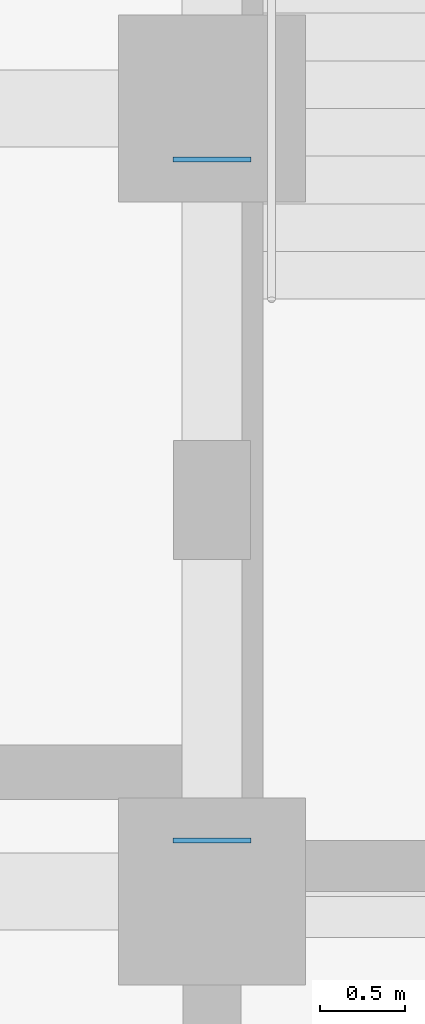
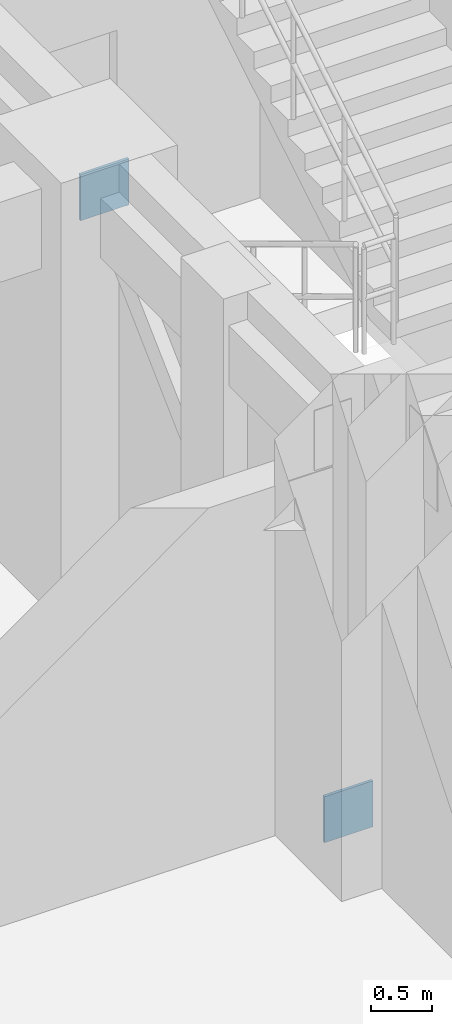
# One storey, part 63 of 90: 2 plates.
"""IFC4 building model written with IfcOpenShell, lengths in metres."""

from ifc_helpers import new_model, si_unit, direction, frame, origin, origin_2d, place, context, subcontext, project, spatial, rectangle, extrude, material, layer, layer_set, type_object, element, save


model = new_model("IFC4")

# Units and contexts
model_context = context("Model", 3, precision=1e-05, world=origin(), true_north=direction((0.0, 1.0)))
body_context = subcontext(model_context, "Body", "Model", "MODEL_VIEW")
ifc_project = project(units=[si_unit("LENGTHUNIT", "METRE"), si_unit("AREAUNIT", "SQUARE_METRE"), si_unit("VOLUMEUNIT", "CUBIC_METRE"), si_unit("PLANEANGLEUNIT", "RADIAN"), si_unit("MASSUNIT", "GRAM", prefix="KILO")], contexts=[model_context])

# Site, building, storey
site_placement = place(None, origin())
site = spatial("IfcSite", under=ifc_project, at=site_placement, CompositionType="ELEMENT")
building_placement = place(site_placement, origin())
building = spatial("IfcBuilding", under=site, at=building_placement, Name="Muzn Square Opera House", CompositionType="ELEMENT")
storey_placement = place(building_placement, frame((0.0, 0.0, 9.800048828125)))
storey = spatial("IfcBuildingStorey", under=building, at=storey_placement, Name="L02", CompositionType="ELEMENT", Elevation=9.800048828125)

# Plates
ifc_material = material(Name="Steel S355", Category="steel")
ifc_layer = layer(ifc_material, 0.028076171875, Name="Steel S355", Category="steel")
ifc_layer_set = layer_set([ifc_layer], Name="Steel S355")
plate_type = type_object("IfcPlateType", Name="Gusset Plate 28mm 460x460", PredefinedType="USERDEFINED", material=ifc_layer_set)
for number, where, z_axis, x_axis, name in (
    (1, (43.0, 22.300048828125, -0.030029296875), (0.0, 0.0, 1.0), (1.0, 0.0, 0.0), "Lateral Brace End Cap Plate SBRC-08-A"),
    (2, (43.0, 26.300048828125, 3.77001953125), (0.0, 0.0, 1.0), (1.0, 0.0, 0.0), "Lateral Brace End Cap Plate SBRC-08-B"),
):
    element("IfcPlate", number, at=place(storey_placement, frame(where, z_axis=z_axis, x_axis=x_axis)), inside=storey, type_object=plate_type, Name=name, ObjectType="GUSSET PLATE", PredefinedType="USERDEFINED", context=body_context, shape_type="SweptSolid", body=[
        extrude(rectangle(XDim=0.4599609375, YDim=0.028076171875, at=origin_2d()), origin(), (0.0, 0.0, 1.0), 0.4599609375),
    ])

save(model, "model.ifc")
